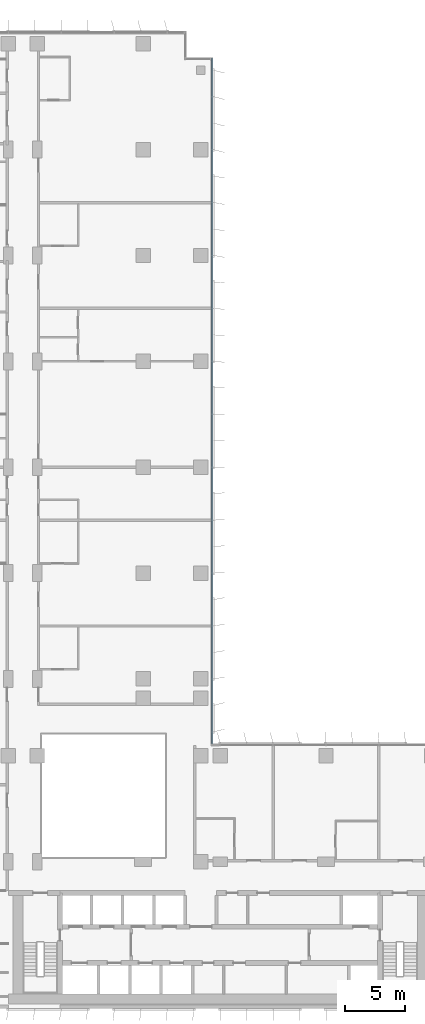
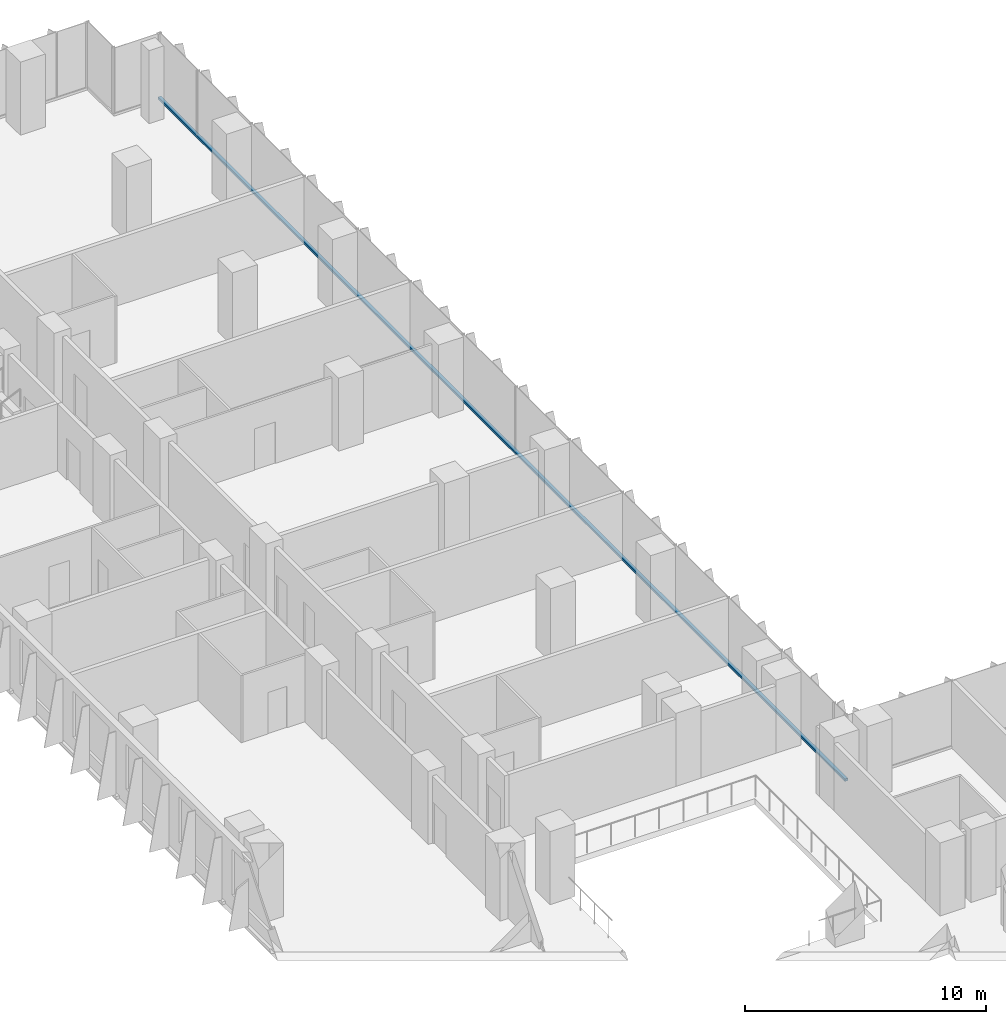
# One storey, part 6 of 22: 1 member, 1 element without a shape of its own.
"""IFC4 building model written with IfcOpenShell, lengths in metres."""

from ifc_helpers import new_model, si_unit, direction, frame, origin, origin_2d, place, context, subcontext, project, spatial, rectangle, extrude, material, material_profile, profile_set, type_object, element, aggregate, save


model = new_model("IFC4")

# Units and contexts
model_context = context("Model", 3, precision=1e-05, world=origin(), true_north=direction((0.0, 1.0)))
body_context = subcontext(model_context, "Body", "Model", "MODEL_VIEW")
ifc_project = project(units=[si_unit("LENGTHUNIT", "METRE"), si_unit("AREAUNIT", "SQUARE_METRE"), si_unit("VOLUMEUNIT", "CUBIC_METRE"), si_unit("PLANEANGLEUNIT", "RADIAN"), si_unit("MASSUNIT", "GRAM", prefix="KILO")], contexts=[model_context])

# Site, building, storey
site_placement = place(None, origin())
site = spatial("IfcSite", under=ifc_project, at=site_placement, CompositionType="ELEMENT")
building_placement = place(site_placement, origin())
building = spatial("IfcBuilding", under=site, at=building_placement, Name="Kemantara Hotel Tower", CompositionType="ELEMENT")
storey_placement = place(building_placement, frame((0.0, 0.0, 122.199951171875)))
storey = spatial("IfcBuildingStorey", under=building, at=storey_placement, Name="L29", CompositionType="ELEMENT", Elevation=122.199951171875)

# Curtain wall, member
ifc_material_1 = material(Name="Low-E tinted double insulated glass 36 mm", Category="glass")
curtain_wall_type = type_object("IfcCurtainWallType", Name="TOWER CURTAIN WALL, FRONT FACES", PredefinedType="USERDEFINED", material=ifc_material_1)
curtain_wall_placement = place(storey_placement, origin())
curtain_wall = element("IfcCurtainWall", 1, at=curtain_wall_placement, inside=storey, type_object=curtain_wall_type, Name="CW4 L29 T2-R14-1", ObjectType="TOWER CURTAIN WALL, FRONT FACES", PredefinedType="USERDEFINED")
ifc_material_2 = material(Name="Aluminium 6063-T6 bronze anodised", Category="aluminium")
ifc_material_profile = material_profile(ifc_material_2, rectangle(XDim=0.14990234375, YDim=0.1201171875, at=origin_2d()), Name="TOWER CURTAIN WALL, FRONT FACES TRANSOM")
ifc_profile_set = profile_set([ifc_material_profile], Name="Aluminium 6063-T6 bronze anodised")
member_type = type_object("IfcMemberType", Name="TOWER CURTAIN WALL, FRONT FACES TRANSOM", PredefinedType="USERDEFINED", material=ifc_profile_set)
member_placement = place(storey_placement, frame((26.72509765625, 22.0, 0.06005859375), z_axis=(0.0, 1.0, 0.0), x_axis=(-1.0, 0.0, 0.0)))
member = element("IfcMember", 2, at=member_placement, type_object=member_type, Name="CW4 sill transom T2-R14-1", ObjectType="TRANSOM", PredefinedType="USERDEFINED", context=body_context, shape_type="SweptSolid", body=[
    extrude(rectangle(XDim=0.14990234375, YDim=0.1201171875, at=origin_2d()), origin(), (0.0, 0.0, 1.0), 57.0),
])
aggregate(curtain_wall, [member])

save(model, "model.ifc")
